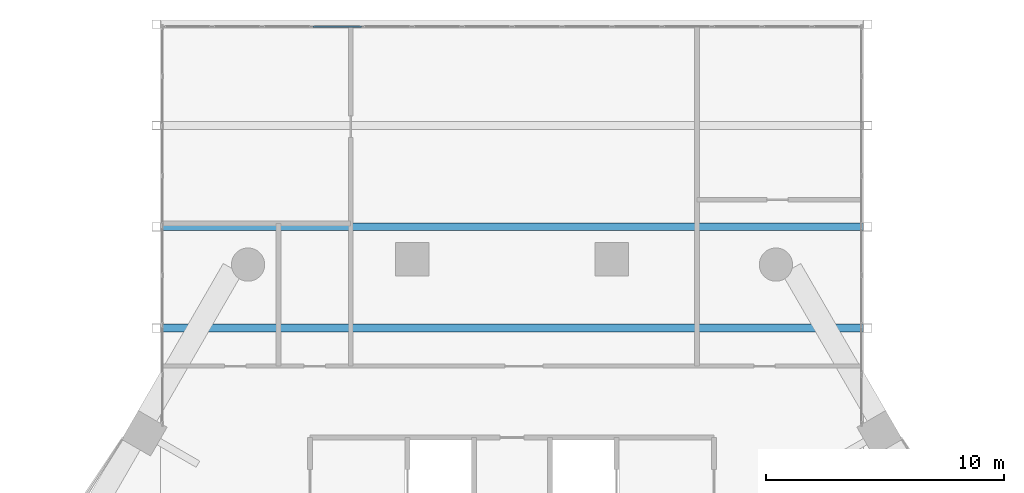
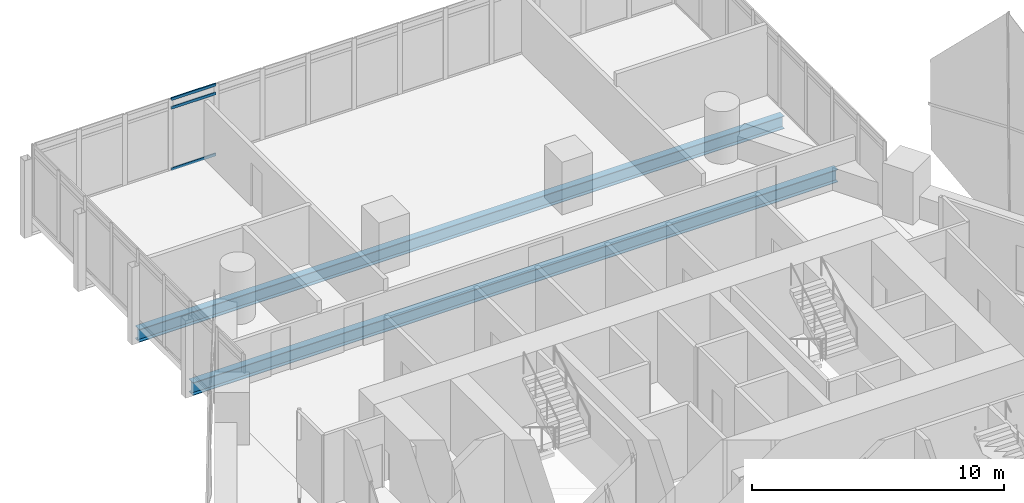
# One storey, part 15 of 35: 3 members, 2 beams, 1 element without a shape of its own.
"""IFC4 building model written with IfcOpenShell, lengths in metres."""

from ifc_helpers import new_model, si_unit, direction, frame, origin, origin_2d, place, context, subcontext, project, spatial, hollow_rectangle, i_section, extrude, material, material_profile, profile_set, type_object, element, aggregate, save


model = new_model("IFC4")

# Units and contexts
model_context = context("Model", 3, precision=1e-05, world=origin(), true_north=direction((0.0, 1.0)))
body_context = subcontext(model_context, "Body", "Model", "MODEL_VIEW")
ifc_project = project(units=[si_unit("LENGTHUNIT", "METRE"), si_unit("AREAUNIT", "SQUARE_METRE"), si_unit("VOLUMEUNIT", "CUBIC_METRE"), si_unit("PLANEANGLEUNIT", "RADIAN"), si_unit("MASSUNIT", "GRAM", prefix="KILO")], contexts=[model_context])

# Site, building, storey
site_placement = place(None, origin())
site = spatial("IfcSite", under=ifc_project, at=site_placement, CompositionType="ELEMENT")
building_placement = place(site_placement, origin())
building = spatial("IfcBuilding", under=site, at=building_placement, Name="Ostrander Bayou Hotel Tower", CompositionType="ELEMENT")
storey_placement = place(building_placement, frame((0.0, 0.0, 69.25)))
storey = spatial("IfcBuildingStorey", under=building, at=storey_placement, Name="L17", CompositionType="ELEMENT", Elevation=69.25)

# Curtain wall, members
ifc_material_1 = material(Name="Aluminium and clear glass", Category="aluminium")
curtain_wall_type = type_object("IfcCurtainWallType", Name="CW-BAR glazed wall", PredefinedType="NOTDEFINED", material=ifc_material_1)
curtain_wall_placement = place(storey_placement, origin())
curtain_wall = element("IfcCurtainWall", 1, at=curtain_wall_placement, inside=storey, type_object=curtain_wall_type, Name="CW-BAR L17:SB1N:T", PredefinedType="NOTDEFINED")
ifc_material_2 = material(Name="Aluminium", Category="aluminium")
ifc_material_profile_1 = material_profile(ifc_material_2, hollow_rectangle(XDim=0.06005859375, YDim=0.1298828125, WallThickness=0.00390625, at=origin_2d()))
ifc_profile_set_1 = profile_set([ifc_material_profile_1], Name="Aluminium")
member_type = type_object("IfcMemberType", Name="CW-BR transom 60 x 130 mm", PredefinedType="USERDEFINED", material=ifc_profile_set_1)
member_1_placement = place(storey_placement, frame((-8.376953125, 30.88623046875, 0.030029296875), z_axis=(1.0, 0.0, 0.0), x_axis=(0.0, 1.0, 0.0)))
member_1 = element("IfcMember", 2, at=member_1_placement, type_object=member_type, Name="CW-BAR transom 4.1", ObjectType="TRANSOM", PredefinedType="USERDEFINED", context=body_context, shape_type="SweptSolid", body=[
    extrude(hollow_rectangle(XDim=0.06005859375, YDim=0.1298828125, WallThickness=0.00390625, at=origin_2d()), origin(), (0.0, 0.0, 1.0), 2.041748046875),
])
member_2_placement = place(storey_placement, frame((-8.376953125, 30.88623046875, 3.0), z_axis=(1.0, 0.0, 0.0), x_axis=(0.0, 1.0, 0.0)))
member_2 = element("IfcMember", 3, at=member_2_placement, type_object=member_type, Name="CW-BAR transom 4.2", ObjectType="TRANSOM", PredefinedType="USERDEFINED", context=body_context, shape_type="SweptSolid", body=[
    extrude(hollow_rectangle(XDim=0.06005859375, YDim=0.1298828125, WallThickness=0.00390625, at=origin_2d()), origin(), (0.0, 0.0, 1.0), 2.041748046875),
])
member_3_placement = place(storey_placement, frame((-8.376953125, 30.88623046875, 3.419921875), z_axis=(1.0, 0.0, 0.0), x_axis=(0.0, 1.0, 0.0)))
member_3 = element("IfcMember", 4, at=member_3_placement, type_object=member_type, Name="CW-BAR transom 4.3", ObjectType="TRANSOM", PredefinedType="USERDEFINED", context=body_context, shape_type="SweptSolid", body=[
    extrude(hollow_rectangle(XDim=0.06005859375, YDim=0.1298828125, WallThickness=0.00390625, at=origin_2d()), origin(), (0.0, 0.0, 1.0), 2.041748046875),
])
aggregate(curtain_wall, [member_1, member_2, member_3])

# Beams
ifc_material_3 = material(Name="Steel ASTM A992", Category="steel")
ifc_material_profile_2 = material_profile(ifc_material_3, i_section(OverallWidth=0.32763671875, OverallDepth=0.621826171875, WebThickness=0.015380859375, FlangeThickness=0.0244140625, at=origin_2d()))
ifc_profile_set_2 = profile_set([ifc_material_profile_2], Name="Steel ASTM A992")
beam_type = type_object("IfcBeamType", Name="TF1 bar floor beam W24x131", PredefinedType="BEAM", material=ifc_profile_set_2)
for number, where, z_axis, x_axis, name in (
    (5, (-14.787109375, 22.46142578125, -0.61083984375), (1.0, 0.0, 0.0), (0.0, 1.0, 0.0), "TF1 SB1W L2-3"),
    (6, (-14.787109375, 18.198974609375, -0.61083984375), (1.0, 0.0, 0.0), (0.0, 1.0, 0.0), "TF1 SB1W L2-4"),
):
    element("IfcBeam", number, at=place(storey_placement, frame(where, z_axis=z_axis, x_axis=x_axis)), inside=storey, type_object=beam_type, Name=name, PredefinedType="BEAM", context=body_context, shape_type="SweptSolid", body=[
        extrude(i_section(OverallWidth=0.32763671875, OverallDepth=0.621826171875, WebThickness=0.015380859375, FlangeThickness=0.0244140625, at=origin_2d()), origin(), (0.0, 0.0, 1.0), 29.57421875),
    ])

save(model, "model.ifc")
